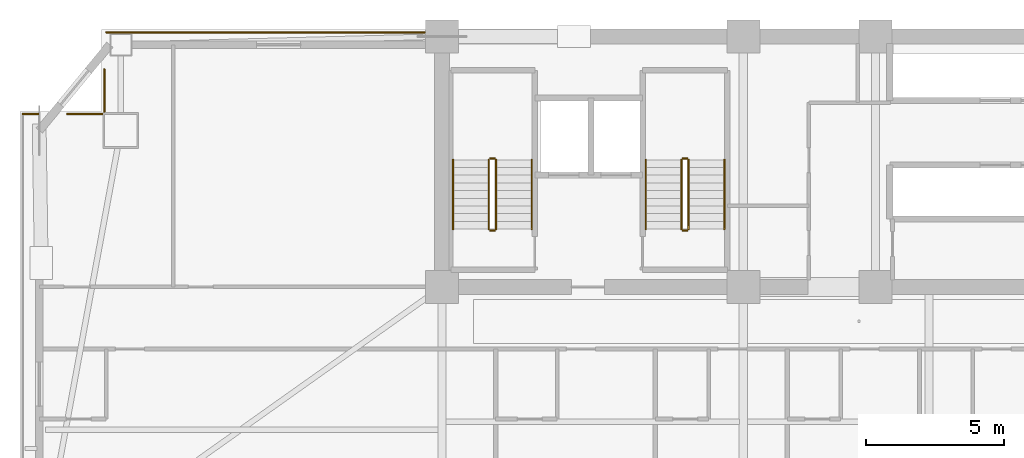
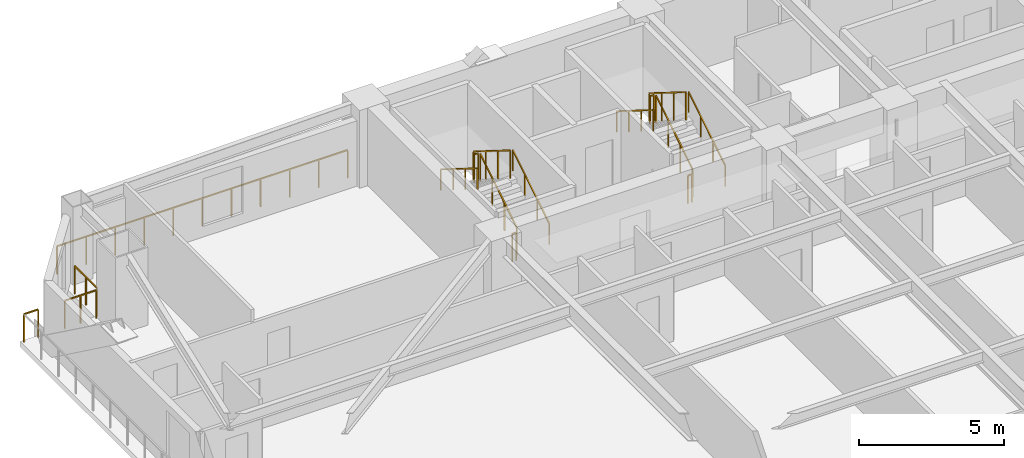
# One storey, part 16 of 17: 16 railings.
"""IFC4 building model written with IfcOpenShell, lengths in metres."""

import ifcopenshell
import ifcopenshell.guid

model = None  # the IFC model being written
_history = None  # IfcOwnerHistory: only IFC2X3 demands one
_inside = {}  # id of a spatial element -> (the spatial element, [elements in it])
_under = {}  # id of a project, library or spatial element -> (it, [spatial elements below it])
_declared = {}  # id of a project -> (the project, [libraries it declares])
_typed = {}  # id of a type object -> (the type object, [elements of that type])
_made_of = {}  # id of a material, layer set ... -> (it, [elements and type objects made of it])


def new_model(schema):
    """Start an empty IFC model of exactly this schema.

    Asked for "IFC4X3", IfcOpenShell would pick the latest addendum, in which some entities
    have other attributes; the version numbers below select the first issue.
    IFC2X3 requires an IfcOwnerHistory on every rooted entity: one is made here for all.
    """
    global model, _history
    if schema == "IFC4X3":
        model = ifcopenshell.file(schema_version=(4, 3, 0, 0))
    else:
        model = ifcopenshell.file(schema=schema)
    _inside.clear()
    _under.clear()
    _declared.clear()
    _typed.clear()
    _made_of.clear()
    _history = None
    if model.schema == "IFC2X3":
        org = make("IfcOrganization", Name="unknown")
        user = make(
            "IfcPersonAndOrganization",
            ThePerson=make("IfcPerson", FamilyName="unknown"),
            TheOrganization=org,
        )
        app = make(
            "IfcApplication",
            ApplicationDeveloper=org,
            Version="unknown",
            ApplicationFullName="unknown",
            ApplicationIdentifier="unknown",
        )
        _history = make(
            "IfcOwnerHistory",
            OwningUser=user,
            OwningApplication=app,
            ChangeAction="ADDED",
            CreationDate=0,
        )
    return model


def make(cls, **values):
    """One entity of the class cls with the attributes given. An attribute that is None is left unset."""
    return model.create_entity(
        cls, **{name: value for name, value in values.items() if value is not None}
    )


def rooted(cls, **values):
    """An entity with a GlobalId (a new one), such as an element, a storey or a relation."""
    return make(cls, GlobalId=ifcopenshell.guid.new(), OwnerHistory=_history, **values)


def si_unit(unit_type, name, prefix=None):
    """IfcSIUnit, for example si_unit("LENGTHUNIT", "METRE", prefix="MILLI")."""
    return make("IfcSIUnit", UnitType=unit_type, Prefix=prefix, Name=name)


def assignment(units):
    """IfcUnitAssignment: the units of a project."""
    return None if units is None else make("IfcUnitAssignment", Units=units)


def point(xyz):
    """IfcCartesianPoint."""
    return None if xyz is None else make("IfcCartesianPoint", Coordinates=xyz)


def direction(xyz):
    """IfcDirection."""
    return None if xyz is None else make("IfcDirection", DirectionRatios=xyz)


def frame(location, z_axis=None, x_axis=None):
    """IfcAxis2Placement3D, a coordinate frame: its origin and axes. An axis left out is left unset."""
    return make(
        "IfcAxis2Placement3D",
        Location=point(location),
        Axis=direction(z_axis),
        RefDirection=direction(x_axis),
    )


def frame_2d(location, x_axis=None):
    """IfcAxis2Placement2D, a coordinate frame in the plane: its origin and x axis."""
    return make(
        "IfcAxis2Placement2D", Location=point(location), RefDirection=direction(x_axis)
    )


def origin():
    """The frame at (0, 0, 0) with its axes left unset."""
    return frame((0.0, 0.0, 0.0))


def origin_2d():
    """The frame at (0, 0) in the plane with its x axis left unset."""
    return frame_2d((0.0, 0.0))


def place(relative_to, where):
    """IfcLocalPlacement: puts the frame where relative to a parent placement (None: the world)."""
    return make(
        "IfcLocalPlacement", PlacementRelTo=relative_to, RelativePlacement=where
    )


def context(
    kind, dimensions, precision=None, world=None, true_north=None, identifier=None
):
    """IfcGeometricRepresentationContext, for example the 3D "Model" context."""
    return make(
        "IfcGeometricRepresentationContext",
        ContextIdentifier=identifier,
        ContextType=kind,
        CoordinateSpaceDimension=dimensions,
        Precision=precision,
        WorldCoordinateSystem=world,
        TrueNorth=true_north,
    )


def subcontext(parent, identifier, kind, view, scale=None):
    """IfcGeometricRepresentationSubContext, for example "Body" below "Model"."""
    return make(
        "IfcGeometricRepresentationSubContext",
        ContextIdentifier=identifier,
        ContextType=kind,
        ParentContext=parent,
        TargetScale=scale,
        TargetView=view,
    )


def project(units=None, contexts=None):
    """IfcProject with its units and contexts."""
    return rooted(
        "IfcProject",
        Name="project",
        RepresentationContexts=contexts,
        UnitsInContext=assignment(units),
    )


def spatial(cls, under=None, at=None, **own):
    """A site, building, storey or space (cls), placed at a placement, below another one or the project."""
    s = rooted(cls, ObjectPlacement=at, **own)
    if under is not None:
        _under.setdefault(under.id(), (under, []))[1].append(s)
    return s


def profile(cls, at=None, kind="AREA", **sizes):
    """A parametric profile (cls). Its sizes go by their IFC names, for example OverallWidth=200.0."""
    return make(cls, ProfileType=kind, Position=at, **sizes)


def rectangle(**sizes):
    """IfcRectangleProfileDef."""
    return profile("IfcRectangleProfileDef", **sizes)


def extrude(swept, where, along, depth):
    """IfcExtrudedAreaSolid: the profile swept, set in the frame where, extruded along a direction by depth."""
    return make(
        "IfcExtrudedAreaSolid",
        SweptArea=swept,
        Position=where,
        ExtrudedDirection=direction(along),
        Depth=depth,
    )


def shape(context_of_items, identifier, shape_type, items):
    """IfcShapeRepresentation: the items that make up one representation, for example the "Body"."""
    return make(
        "IfcShapeRepresentation",
        ContextOfItems=context_of_items,
        RepresentationIdentifier=identifier,
        RepresentationType=shape_type,
        Items=items,
    )


def material(Name=None, Category=None):
    """IfcMaterial."""
    return make("IfcMaterial", Name=Name, Category=Category)


def made_of(thing, what):
    """Note that an element or type object is made of a material, layer set ...; save() writes the relation."""
    if what is not None:
        _made_of.setdefault(what.id(), (what, []))[1].append(thing)
    return thing


def type_object(cls, material=None, **own):
    """A type object (cls), such as IfcWallType, which elements share."""
    return made_of(rooted(cls, **own), material)


def element(
    cls,
    number,
    at=None,
    inside=None,
    cuts=None,
    type_object=None,
    material=None,
    context=None,
    identifier="Body",
    shape_type=None,
    held_by="IfcProductDefinitionShape",
    body=None,
    shapes=None,
    **own,
):
    """One element of the class cls, such as IfcWall. Its Tag is "e" and its number.

    at: its placement. inside: the storey or other place that contains it. cuts: it is an
    opening in that element (IfcRelVoidsElement). A single representation is given by context,
    identifier, shape_type and body (its items); several are given by shapes. held_by: the class
    of the entity that holds the representations. save() writes the other relations.
    """
    e = rooted(cls, Tag="e%d" % number, ObjectPlacement=at, **own)
    if body is not None:
        shapes = [shape(context, identifier, shape_type, body)]
    if shapes is not None:
        e.Representation = make(held_by, Representations=shapes)
    if inside is not None:
        _inside.setdefault(inside.id(), (inside, []))[1].append(e)
    if cuts is not None:
        rooted(
            "IfcRelVoidsElement", RelatingBuildingElement=cuts, RelatedOpeningElement=e
        )
    if type_object is not None:
        _typed.setdefault(type_object.id(), (type_object, []))[1].append(e)
    return made_of(e, material)


def aggregate(whole, parts):
    """IfcRelAggregates: a whole, such as a stair, and the parts it consists of."""
    return rooted("IfcRelAggregates", RelatingObject=whole, RelatedObjects=parts)


def save(model, path):
    """Write the relations noted so far, then the file.

    IfcRelAggregates (storeys below a building ...), IfcRelContainedInSpatialStructure (elements
    in a storey), IfcRelDefinesByType, IfcRelAssociatesMaterial and IfcRelDeclares: one each for
    every whole, place, type object, material and project.
    """
    for whole, parts in _under.values():
        aggregate(whole, parts)
    for where, things in _inside.values():
        rooted(
            "IfcRelContainedInSpatialStructure",
            RelatedElements=things,
            RelatingStructure=where,
        )
    for kind, things in _typed.values():
        rooted("IfcRelDefinesByType", RelatedObjects=things, RelatingType=kind)
    for what, things in _made_of.values():
        rooted("IfcRelAssociatesMaterial", RelatedObjects=things, RelatingMaterial=what)
    for by, libraries in _declared.values():
        rooted("IfcRelDeclares", RelatingContext=by, RelatedDefinitions=libraries)
    model.write(path)


model = new_model("IFC4")

# Units and contexts
model_context = context("Model", 3, precision=1e-05, world=origin(), true_north=direction((0.0, 1.0)))
body_context = subcontext(model_context, "Body", "Model", "MODEL_VIEW")
ifc_project = project(units=[si_unit("LENGTHUNIT", "METRE"), si_unit("AREAUNIT", "SQUARE_METRE"), si_unit("VOLUMEUNIT", "CUBIC_METRE"), si_unit("PLANEANGLEUNIT", "RADIAN"), si_unit("MASSUNIT", "GRAM", prefix="KILO")], contexts=[model_context])

# Site, building, storey
site_placement = place(None, origin())
site = spatial("IfcSite", under=ifc_project, at=site_placement, CompositionType="ELEMENT")
building_placement = place(site_placement, origin())
building = spatial("IfcBuilding", under=site, at=building_placement, Name="Giltprow Tower", CompositionType="ELEMENT")
storey_placement = place(building_placement, frame((0.0, 0.0, 137.699951171875)))
storey = spatial("IfcBuildingStorey", under=building, at=storey_placement, Name="L33", CompositionType="ELEMENT", Elevation=137.699951171875)

# Railings
ifc_material = material(Name="Anodized bronze", Category="metal")
railing_type_1 = type_object("IfcRailingType", Name="RAIL-BALC-GUARD-1200", PredefinedType="BALUSTRADE", material=ifc_material)
railing_1_placement = place(storey_placement, frame((4.614013671875, 43.73388671875, 0.0)))
element("IfcRailing", 1, at=railing_1_placement, inside=storey, type_object=railing_type_1, Name="L33 Corner Apron Edge Balustrade 6", PredefinedType="BALUSTRADE", context=body_context, shape_type="SweptSolid", body=[
    extrude(rectangle(XDim=0.048095703125, YDim=0.048095703125, at=origin_2d()), frame((0.0, 0.0, 1.17578125), z_axis=(1.0, 0.0, 0.0), x_axis=(0.0, 1.0, 0.0)), (0.0, 0.0, 1.0), 0.56298828125),
    extrude(rectangle(XDim=0.0419921875, YDim=0.0419921875, at=origin_2d()), origin(), (0.0, 0.0, 1.0), 1.15185546875),
    extrude(rectangle(XDim=0.0419921875, YDim=0.0419921875, at=origin_2d()), frame((0.56298828125, 0.0, 0.0)), (0.0, 0.0, 1.0), 1.15185546875),
])
railing_2_placement = place(storey_placement, frame((6.239013671875, 43.73388671875, 0.0)))
element("IfcRailing", 2, at=railing_2_placement, inside=storey, type_object=railing_type_1, Name="L33 Corner Apron Edge Balustrade 7", PredefinedType="BALUSTRADE", context=body_context, shape_type="SweptSolid", body=[
    extrude(rectangle(XDim=0.048095703125, YDim=0.048095703125, at=origin_2d()), frame((0.0, 0.0, 1.17578125), z_axis=(1.0, 0.0, 0.0), x_axis=(0.0, 1.0, 0.0)), (0.0, 0.0, 1.0), 1.2548828125),
    extrude(rectangle(XDim=0.0419921875, YDim=0.0419921875, at=origin_2d()), origin(), (0.0, 0.0, 1.0), 1.15185546875),
    extrude(rectangle(XDim=0.0419921875, YDim=0.0419921875, at=origin_2d()), frame((0.62744140625, 0.0, 0.0)), (0.0, 0.0, 1.0), 1.15185546875),
    extrude(rectangle(XDim=0.0419921875, YDim=0.0419921875, at=origin_2d()), frame((1.2548828125, 0.0, 0.0)), (0.0, 0.0, 1.0), 1.15185546875),
])
railing_3_placement = place(storey_placement, frame((7.5791015625, 43.819091796875, 0.0)))
element("IfcRailing", 3, at=railing_3_placement, inside=storey, type_object=railing_type_1, Name="L33 Corner Apron Edge Balustrade 8", PredefinedType="BALUSTRADE", context=body_context, shape_type="SweptSolid", body=[
    extrude(rectangle(XDim=0.048095703125, YDim=0.048095703125, at=origin_2d()), frame((0.0, 0.0, 1.17578125), z_axis=(0.0, 1.0, 0.0), x_axis=(-1.0, 0.0, 0.0)), (0.0, 0.0, 1.0), 1.54296875),
    extrude(rectangle(XDim=0.0419921875, YDim=0.0419921875, at=origin_2d()), origin(), (0.0, 0.0, 1.0), 1.15185546875),
    extrude(rectangle(XDim=0.0419921875, YDim=0.0419921875, at=origin_2d()), frame((0.0, 0.771484375, 0.0)), (0.0, 0.0, 1.0), 1.15185546875),
    extrude(rectangle(XDim=0.0419921875, YDim=0.0419921875, at=origin_2d()), frame((0.0, 1.54296875, 0.0)), (0.0, 0.0, 1.0), 1.15185546875),
])
railing_4_placement = place(storey_placement, frame((7.64306640625, 46.698974609375, 0.0)))
element("IfcRailing", 4, at=railing_4_placement, inside=storey, type_object=railing_type_1, Name="L33 Corner Apron Edge Balustrade 9", PredefinedType="BALUSTRADE", context=body_context, shape_type="SweptSolid", body=[
    extrude(rectangle(XDim=0.048095703125, YDim=0.048095703125, at=origin_2d()), frame((0.0, 0.0, 1.17578125), z_axis=(1.0, 0.0, 0.0), x_axis=(0.0, 1.0, 0.0)), (0.0, 0.0, 1.0), 11.572021484375),
    extrude(rectangle(XDim=0.0419921875, YDim=0.0419921875, at=origin_2d()), origin(), (0.0, 0.0, 1.0), 1.15185546875),
    extrude(rectangle(XDim=0.0419921875, YDim=0.0419921875, at=origin_2d()), frame((1.1572265625, 0.0, 0.0)), (0.0, 0.0, 1.0), 1.15185546875),
    extrude(rectangle(XDim=0.0419921875, YDim=0.0419921875, at=origin_2d()), frame((2.314453125, 0.0, 0.0)), (0.0, 0.0, 1.0), 1.15185546875),
    extrude(rectangle(XDim=0.0419921875, YDim=0.0419921875, at=origin_2d()), frame((3.4716796875, 0.0, 0.0)), (0.0, 0.0, 1.0), 1.15185546875),
    extrude(rectangle(XDim=0.0419921875, YDim=0.0419921875, at=origin_2d()), frame((4.62890625, 0.0, 0.0)), (0.0, 0.0, 1.0), 1.15185546875),
    extrude(rectangle(XDim=0.0419921875, YDim=0.0419921875, at=origin_2d()), frame((5.7861328125, 0.0, 0.0)), (0.0, 0.0, 1.0), 1.15185546875),
    extrude(rectangle(XDim=0.0419921875, YDim=0.0419921875, at=origin_2d()), frame((6.943115234375, 0.0, 0.0)), (0.0, 0.0, 1.0), 1.15185546875),
    extrude(rectangle(XDim=0.0419921875, YDim=0.0419921875, at=origin_2d()), frame((8.100341796875, 0.0, 0.0)), (0.0, 0.0, 1.0), 1.15185546875),
    extrude(rectangle(XDim=0.0419921875, YDim=0.0419921875, at=origin_2d()), frame((9.257568359375, 0.0, 0.0)), (0.0, 0.0, 1.0), 1.15185546875),
    extrude(rectangle(XDim=0.0419921875, YDim=0.0419921875, at=origin_2d()), frame((10.414794921875, 0.0, 0.0)), (0.0, 0.0, 1.0), 1.15185546875),
    extrude(rectangle(XDim=0.0419921875, YDim=0.0419921875, at=origin_2d()), frame((11.572021484375, 0.0, 0.0)), (0.0, 0.0, 1.0), 1.15185546875),
])
railing_type_2 = type_object("IfcRailingType", Name="RAIL-STAIR-GUARD-1200", PredefinedType="GUARDRAIL", material=ifc_material)
railing_5_placement = place(storey_placement, frame((21.81005859375, 39.550048828125, 0.175048828125)))
element("IfcRailing", 5, at=railing_5_placement, inside=storey, type_object=railing_type_2, Name="L33 ST-1 stair guard 1", PredefinedType="GUARDRAIL", context=body_context, shape_type="SweptSolid", body=[
    extrude(rectangle(XDim=0.048095703125, YDim=0.048095703125, at=origin_2d()), frame((0.0, 0.0, 1.17578125), z_axis=(0.0, 0.848007534815, 0.529984170421), x_axis=(-1.0, 0.0, 0.0)), (0.0, 0.0, 1.0), 2.9716796875),
    extrude(rectangle(XDim=0.0419921875, YDim=0.0419921875, at=origin_2d()), origin(), (0.0, 0.0, 1.0), 1.15185546875),
    extrude(rectangle(XDim=0.0419921875, YDim=0.0419921875, at=origin_2d()), frame((0.0, 0.840087890625, 0.52490234375)), (0.0, 0.0, 1.0), 1.15185546875),
    extrude(rectangle(XDim=0.0419921875, YDim=0.0419921875, at=origin_2d()), frame((0.0, 1.679931640625, 1.050048828125)), (0.0, 0.0, 1.0), 1.15185546875),
    extrude(rectangle(XDim=0.0419921875, YDim=0.0419921875, at=origin_2d()), frame((0.0, 2.52001953125, 1.574951171875)), (0.0, 0.0, 1.0), 1.15185546875),
])
railing_6_placement = place(storey_placement, frame((21.760009765625, 42.1201171875, 1.75)))
element("IfcRailing", 6, at=railing_6_placement, inside=storey, type_object=railing_type_2, Name="L33 ST-1 stair guard 2", PredefinedType="GUARDRAIL", context=body_context, shape_type="SweptSolid", body=[
    extrude(rectangle(XDim=0.048095703125, YDim=0.048095703125, at=origin_2d()), frame((0.0, 0.0, 1.17578125), z_axis=(-1.0, 0.0, 0.0), x_axis=(0.0, -1.0, 0.0)), (0.0, 0.0, 1.0), 0.159912109375),
    extrude(rectangle(XDim=0.0419921875, YDim=0.0419921875, at=origin_2d()), origin(), (0.0, 0.0, 1.0), 1.15185546875),
    extrude(rectangle(XDim=0.0419921875, YDim=0.0419921875, at=origin_2d()), frame((-0.159912109375, 0.0, 0.0)), (0.0, 0.0, 1.0), 1.15185546875),
])
railing_7_placement = place(storey_placement, frame((21.550048828125, 42.070068359375, 1.925048828125)))
element("IfcRailing", 7, at=railing_7_placement, inside=storey, type_object=railing_type_2, Name="L33 ST-1 stair guard 3", PredefinedType="GUARDRAIL", context=body_context, shape_type="SweptSolid", body=[
    extrude(rectangle(XDim=0.048095703125, YDim=0.048095703125, at=origin_2d()), frame((0.0, 0.0, 1.17578125), z_axis=(0.0, -0.848007534815, 0.529984170421), x_axis=(1.0, 0.0, 0.0)), (0.0, 0.0, 1.0), 2.9716796875),
    extrude(rectangle(XDim=0.0419921875, YDim=0.0419921875, at=origin_2d()), origin(), (0.0, 0.0, 1.0), 1.15185546875),
    extrude(rectangle(XDim=0.0419921875, YDim=0.0419921875, at=origin_2d()), frame((0.0, -0.840087890625, 0.52490234375)), (0.0, 0.0, 1.0), 1.15185546875),
    extrude(rectangle(XDim=0.0419921875, YDim=0.0419921875, at=origin_2d()), frame((0.0, -1.679931640625, 1.050048828125)), (0.0, 0.0, 1.0), 1.15185546875),
    extrude(rectangle(XDim=0.0419921875, YDim=0.0419921875, at=origin_2d()), frame((0.0, -2.52001953125, 1.574951171875)), (0.0, 0.0, 1.0), 1.15185546875),
])
railing_8_placement = place(storey_placement, frame((21.760009765625, 39.5, 0.0)))
element("IfcRailing", 8, at=railing_8_placement, inside=storey, type_object=railing_type_2, Name="L33 ST-1 stair guard 4", PredefinedType="GUARDRAIL", context=body_context, shape_type="SweptSolid", body=[
    extrude(rectangle(XDim=0.048095703125, YDim=0.048095703125, at=origin_2d()), frame((0.0, 0.0, 1.17578125), z_axis=(-1.0, 0.0, 0.0), x_axis=(0.0, -1.0, 0.0)), (0.0, 0.0, 1.0), 0.159912109375),
    extrude(rectangle(XDim=0.0419921875, YDim=0.0419921875, at=origin_2d()), origin(), (0.0, 0.0, 1.0), 1.15185546875),
    extrude(rectangle(XDim=0.0419921875, YDim=0.0419921875, at=origin_2d()), frame((-0.159912109375, 0.0, 0.0)), (0.0, 0.0, 1.0), 1.15185546875),
])
railing_9_placement = place(storey_placement, frame((28.81005859375, 39.550048828125, 0.175048828125)))
element("IfcRailing", 9, at=railing_9_placement, inside=storey, type_object=railing_type_2, Name="L33 ST-2 stair guard 1", PredefinedType="GUARDRAIL", context=body_context, shape_type="SweptSolid", body=[
    extrude(rectangle(XDim=0.048095703125, YDim=0.048095703125, at=origin_2d()), frame((0.0, 0.0, 1.17578125), z_axis=(0.0, 0.848007534815, 0.529984170421), x_axis=(-1.0, 0.0, 0.0)), (0.0, 0.0, 1.0), 2.9716796875),
    extrude(rectangle(XDim=0.0419921875, YDim=0.0419921875, at=origin_2d()), origin(), (0.0, 0.0, 1.0), 1.15185546875),
    extrude(rectangle(XDim=0.0419921875, YDim=0.0419921875, at=origin_2d()), frame((0.0, 0.840087890625, 0.52490234375)), (0.0, 0.0, 1.0), 1.15185546875),
    extrude(rectangle(XDim=0.0419921875, YDim=0.0419921875, at=origin_2d()), frame((0.0, 1.679931640625, 1.050048828125)), (0.0, 0.0, 1.0), 1.15185546875),
    extrude(rectangle(XDim=0.0419921875, YDim=0.0419921875, at=origin_2d()), frame((0.0, 2.52001953125, 1.574951171875)), (0.0, 0.0, 1.0), 1.15185546875),
])
railing_10_placement = place(storey_placement, frame((28.760009765625, 42.1201171875, 1.75)))
element("IfcRailing", 10, at=railing_10_placement, inside=storey, type_object=railing_type_2, Name="L33 ST-2 stair guard 2", PredefinedType="GUARDRAIL", context=body_context, shape_type="SweptSolid", body=[
    extrude(rectangle(XDim=0.048095703125, YDim=0.048095703125, at=origin_2d()), frame((0.0, 0.0, 1.17578125), z_axis=(-1.0, 0.0, 0.0), x_axis=(0.0, -1.0, 0.0)), (0.0, 0.0, 1.0), 0.159912109375),
    extrude(rectangle(XDim=0.0419921875, YDim=0.0419921875, at=origin_2d()), origin(), (0.0, 0.0, 1.0), 1.15185546875),
    extrude(rectangle(XDim=0.0419921875, YDim=0.0419921875, at=origin_2d()), frame((-0.159912109375, 0.0, 0.0)), (0.0, 0.0, 1.0), 1.15185546875),
])
railing_11_placement = place(storey_placement, frame((28.550048828125, 42.070068359375, 1.925048828125)))
element("IfcRailing", 11, at=railing_11_placement, inside=storey, type_object=railing_type_2, Name="L33 ST-2 stair guard 3", PredefinedType="GUARDRAIL", context=body_context, shape_type="SweptSolid", body=[
    extrude(rectangle(XDim=0.048095703125, YDim=0.048095703125, at=origin_2d()), frame((0.0, 0.0, 1.17578125), z_axis=(0.0, -0.848007534815, 0.529984170421), x_axis=(1.0, 0.0, 0.0)), (0.0, 0.0, 1.0), 2.9716796875),
    extrude(rectangle(XDim=0.0419921875, YDim=0.0419921875, at=origin_2d()), origin(), (0.0, 0.0, 1.0), 1.15185546875),
    extrude(rectangle(XDim=0.0419921875, YDim=0.0419921875, at=origin_2d()), frame((0.0, -0.840087890625, 0.52490234375)), (0.0, 0.0, 1.0), 1.15185546875),
    extrude(rectangle(XDim=0.0419921875, YDim=0.0419921875, at=origin_2d()), frame((0.0, -1.679931640625, 1.050048828125)), (0.0, 0.0, 1.0), 1.15185546875),
    extrude(rectangle(XDim=0.0419921875, YDim=0.0419921875, at=origin_2d()), frame((0.0, -2.52001953125, 1.574951171875)), (0.0, 0.0, 1.0), 1.15185546875),
])
railing_12_placement = place(storey_placement, frame((28.760009765625, 39.5, 0.0)))
element("IfcRailing", 12, at=railing_12_placement, inside=storey, type_object=railing_type_2, Name="L33 ST-2 stair guard 4", PredefinedType="GUARDRAIL", context=body_context, shape_type="SweptSolid", body=[
    extrude(rectangle(XDim=0.048095703125, YDim=0.048095703125, at=origin_2d()), frame((0.0, 0.0, 1.17578125), z_axis=(-1.0, 0.0, 0.0), x_axis=(0.0, -1.0, 0.0)), (0.0, 0.0, 1.0), 0.159912109375),
    extrude(rectangle(XDim=0.0419921875, YDim=0.0419921875, at=origin_2d()), origin(), (0.0, 0.0, 1.0), 1.15185546875),
    extrude(rectangle(XDim=0.0419921875, YDim=0.0419921875, at=origin_2d()), frame((-0.159912109375, 0.0, 0.0)), (0.0, 0.0, 1.0), 1.15185546875),
])
railing_type_3 = type_object("IfcRailingType", Name="RAIL-STAIR-HAND-900", PredefinedType="HANDRAIL", material=ifc_material)
railing_13_placement = place(storey_placement, frame((23.110107421875, 39.550048828125, 0.175048828125)))
element("IfcRailing", 13, at=railing_13_placement, inside=storey, type_object=railing_type_3, Name="L33 ST-1 stair handrail 1", PredefinedType="HANDRAIL", context=body_context, shape_type="SweptSolid", body=[
    extrude(rectangle(XDim=0.048095703125, YDim=0.048095703125, at=origin_2d()), frame((0.0, 0.0, 0.8759765625), z_axis=(0.0, 0.848007534815, 0.529984170421), x_axis=(-1.0, 0.0, 0.0)), (0.0, 0.0, 1.0), 2.9716796875),
    extrude(rectangle(XDim=0.0419921875, YDim=0.0419921875, at=origin_2d()), origin(), (0.0, 0.0, 1.0), 0.851806640625),
    extrude(rectangle(XDim=0.0419921875, YDim=0.0419921875, at=origin_2d()), frame((0.0, 0.840087890625, 0.52490234375)), (0.0, 0.0, 1.0), 0.851806640625),
    extrude(rectangle(XDim=0.0419921875, YDim=0.0419921875, at=origin_2d()), frame((0.0, 1.679931640625, 1.050048828125)), (0.0, 0.0, 1.0), 0.851806640625),
    extrude(rectangle(XDim=0.0419921875, YDim=0.0419921875, at=origin_2d()), frame((0.0, 2.52001953125, 1.574951171875)), (0.0, 0.0, 1.0), 0.851806640625),
])
railing_14_placement = place(storey_placement, frame((20.25, 42.070068359375, 1.925048828125)))
element("IfcRailing", 14, at=railing_14_placement, inside=storey, type_object=railing_type_3, Name="L33 ST-1 stair handrail 2", PredefinedType="HANDRAIL", context=body_context, shape_type="SweptSolid", body=[
    extrude(rectangle(XDim=0.048095703125, YDim=0.048095703125, at=origin_2d()), frame((0.0, 0.0, 0.8759765625), z_axis=(0.0, -0.848007534815, 0.529984170421), x_axis=(1.0, 0.0, 0.0)), (0.0, 0.0, 1.0), 2.9716796875),
    extrude(rectangle(XDim=0.0419921875, YDim=0.0419921875, at=origin_2d()), origin(), (0.0, 0.0, 1.0), 0.851806640625),
    extrude(rectangle(XDim=0.0419921875, YDim=0.0419921875, at=origin_2d()), frame((0.0, -0.840087890625, 0.52490234375)), (0.0, 0.0, 1.0), 0.851806640625),
    extrude(rectangle(XDim=0.0419921875, YDim=0.0419921875, at=origin_2d()), frame((0.0, -1.679931640625, 1.050048828125)), (0.0, 0.0, 1.0), 0.851806640625),
    extrude(rectangle(XDim=0.0419921875, YDim=0.0419921875, at=origin_2d()), frame((0.0, -2.52001953125, 1.574951171875)), (0.0, 0.0, 1.0), 0.851806640625),
])
railing_15_placement = place(storey_placement, frame((30.110107421875, 39.550048828125, 0.175048828125)))
element("IfcRailing", 15, at=railing_15_placement, inside=storey, type_object=railing_type_3, Name="L33 ST-2 stair handrail 1", PredefinedType="HANDRAIL", context=body_context, shape_type="SweptSolid", body=[
    extrude(rectangle(XDim=0.048095703125, YDim=0.048095703125, at=origin_2d()), frame((0.0, 0.0, 0.8759765625), z_axis=(0.0, 0.848007534815, 0.529984170421), x_axis=(-1.0, 0.0, 0.0)), (0.0, 0.0, 1.0), 2.9716796875),
    extrude(rectangle(XDim=0.0419921875, YDim=0.0419921875, at=origin_2d()), origin(), (0.0, 0.0, 1.0), 0.851806640625),
    extrude(rectangle(XDim=0.0419921875, YDim=0.0419921875, at=origin_2d()), frame((0.0, 0.840087890625, 0.52490234375)), (0.0, 0.0, 1.0), 0.851806640625),
    extrude(rectangle(XDim=0.0419921875, YDim=0.0419921875, at=origin_2d()), frame((0.0, 1.679931640625, 1.050048828125)), (0.0, 0.0, 1.0), 0.851806640625),
    extrude(rectangle(XDim=0.0419921875, YDim=0.0419921875, at=origin_2d()), frame((0.0, 2.52001953125, 1.574951171875)), (0.0, 0.0, 1.0), 0.851806640625),
])
railing_16_placement = place(storey_placement, frame((27.25, 42.070068359375, 1.925048828125)))
element("IfcRailing", 16, at=railing_16_placement, inside=storey, type_object=railing_type_3, Name="L33 ST-2 stair handrail 2", PredefinedType="HANDRAIL", context=body_context, shape_type="SweptSolid", body=[
    extrude(rectangle(XDim=0.048095703125, YDim=0.048095703125, at=origin_2d()), frame((0.0, 0.0, 0.8759765625), z_axis=(0.0, -0.848007534815, 0.529984170421), x_axis=(1.0, 0.0, 0.0)), (0.0, 0.0, 1.0), 2.9716796875),
    extrude(rectangle(XDim=0.0419921875, YDim=0.0419921875, at=origin_2d()), origin(), (0.0, 0.0, 1.0), 0.851806640625),
    extrude(rectangle(XDim=0.0419921875, YDim=0.0419921875, at=origin_2d()), frame((0.0, -0.840087890625, 0.52490234375)), (0.0, 0.0, 1.0), 0.851806640625),
    extrude(rectangle(XDim=0.0419921875, YDim=0.0419921875, at=origin_2d()), frame((0.0, -1.679931640625, 1.050048828125)), (0.0, 0.0, 1.0), 0.851806640625),
    extrude(rectangle(XDim=0.0419921875, YDim=0.0419921875, at=origin_2d()), frame((0.0, -2.52001953125, 1.574951171875)), (0.0, 0.0, 1.0), 0.851806640625),
])

save(model, "model.ifc")
